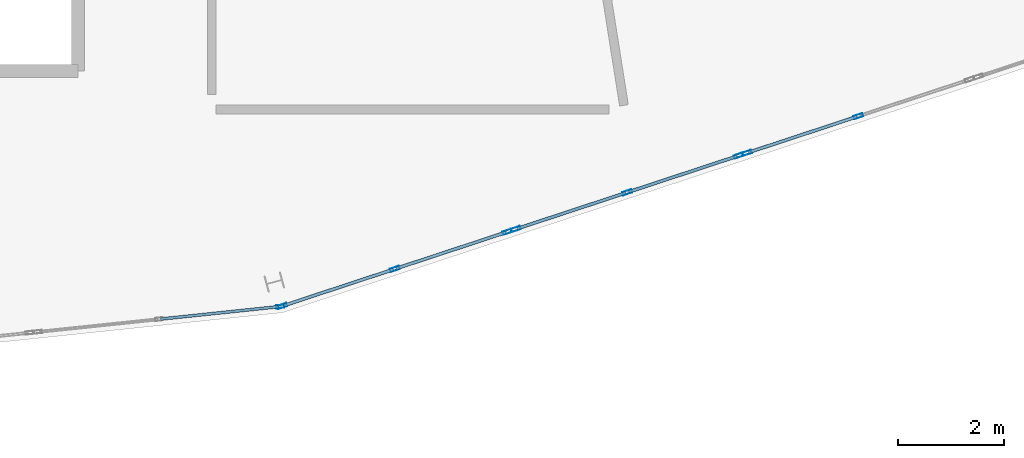
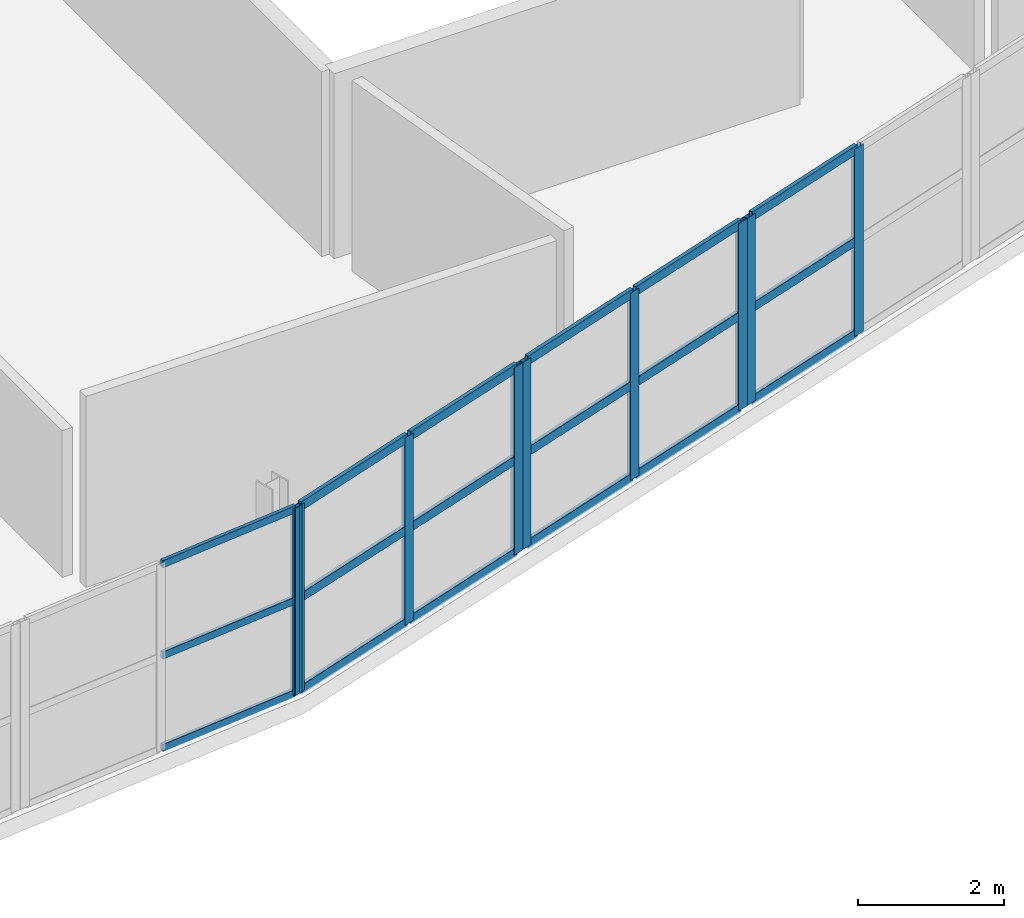
# One storey, part 18 of 35: 27 members, 4 elements without a shape of their own.
"""IFC4 building model written with IfcOpenShell, lengths in metres."""

from ifc_helpers import new_model, si_unit, direction, frame, origin, origin_2d, place, context, subcontext, project, spatial, hollow_rectangle, extrude, material, layer, layer_set, material_profile, profile_set, type_object, element, aggregate, save


model = new_model("IFC4")

# Units and contexts
model_context = context("Model", 3, precision=1e-05, world=origin(), true_north=direction((0.0, 1.0)))
body_context = subcontext(model_context, "Body", "Model", "MODEL_VIEW")
ifc_project = project(units=[si_unit("LENGTHUNIT", "METRE"), si_unit("AREAUNIT", "SQUARE_METRE"), si_unit("VOLUMEUNIT", "CUBIC_METRE"), si_unit("PLANEANGLEUNIT", "RADIAN"), si_unit("MASSUNIT", "GRAM", prefix="KILO")], contexts=[model_context])

# Site, building, storey
site_placement = place(None, origin())
site = spatial("IfcSite", under=ifc_project, at=site_placement, CompositionType="ELEMENT")
building_placement = place(site_placement, origin())
building = spatial("IfcBuilding", under=site, at=building_placement, Name="Kalgoora Escarpment Arena", CompositionType="ELEMENT")
storey_placement = place(building_placement, frame((0.0, 0.0, 23.39990234375)))
storey = spatial("IfcBuildingStorey", under=building, at=storey_placement, Name="L05", CompositionType="ELEMENT", Elevation=23.39990234375)

# Curtain wall, member
ifc_material_1 = material(Name=" Champagne anodised aluminium & double-glazed low-E", Category="aluminium")
ifc_layer_1 = layer(ifc_material_1, 0.154052734375)
ifc_layer_set_1 = layer_set([ifc_layer_1], Name="CW-UNIT-11")
curtain_wall_type_1 = type_object("IfcCurtainWallType", Name="CW-UNIT-11", PredefinedType="NOTDEFINED", material=ifc_layer_set_1)
curtain_wall_1_placement = place(storey_placement, origin())
curtain_wall_1 = element("IfcCurtainWall", 1, at=curtain_wall_1_placement, inside=storey, type_object=curtain_wall_type_1, Name="L05 unitised facade curtain wall 190", PredefinedType="NOTDEFINED")
ifc_material_2 = material(Name="Anodised aluminium 6063-T6", Category="aluminium")
ifc_material_profile_1 = material_profile(ifc_material_2, hollow_rectangle(XDim=0.06005859375, YDim=0.14990234375, WallThickness=0.00341796875, at=origin_2d()))
ifc_profile_set_1 = profile_set([ifc_material_profile_1], Name="Anodised aluminium 6063-T6")
member_type_1 = type_object("IfcMemberType", Name="MEM-CW-MULL-150", PredefinedType="MULLION", material=ifc_profile_set_1)
member_1_placement = place(storey_placement, frame((111.09619140625, 8.478759765625, 0.02001953125), z_axis=(0.0, 0.0, 1.0), x_axis=(0.10415754759, -0.994560810247, 0.0)))
member_1 = element("IfcMember", 2, at=member_1_placement, type_object=member_type_1, Name="CW-11 mullion 1", PredefinedType="MULLION", context=body_context, shape_type="SweptSolid", body=[
    extrude(hollow_rectangle(XDim=0.06005859375, YDim=0.14990234375, WallThickness=0.00341796875, at=origin_2d()), origin(), (0.0, 0.0, 1.0), 3.1201171875),
])

# Curtain wall, members
ifc_material_3 = material(Name=" Champagne anodised aluminium & double-glazed low-E", Category="aluminium")
ifc_layer_2 = layer(ifc_material_3, 0.162109375)
ifc_layer_set_2 = layer_set([ifc_layer_2], Name="CW-UNIT-08")
curtain_wall_type_2 = type_object("IfcCurtainWallType", Name="CW-UNIT-08", PredefinedType="NOTDEFINED", material=ifc_layer_set_2)
curtain_wall_2_placement = place(storey_placement, origin())
curtain_wall_2 = element("IfcCurtainWall", 3, at=curtain_wall_2_placement, inside=storey, type_object=curtain_wall_type_2, Name="L05 unitised facade curtain wall 187", PredefinedType="NOTDEFINED")
ifc_material_4 = material(Name="Anodised aluminium 6063-T6", Category="aluminium")
ifc_material_profile_2 = material_profile(ifc_material_4, hollow_rectangle(XDim=0.06494140625, YDim=0.179931640625, WallThickness=0.00390625, at=origin_2d()))
ifc_profile_set_2 = profile_set([ifc_material_profile_2], Name="Anodised aluminium 6063-T6")
member_type_2 = type_object("IfcMemberType", Name="MEM-CW-MULL-180", PredefinedType="MULLION", material=ifc_profile_set_2)
member_2_placement = place(storey_placement, frame((122.014404296875, 12.072998046875, 0.02001953125), z_axis=(0.0, 0.0, 1.0), x_axis=(0.312989939956, -0.94975644114, 0.0)))
member_2 = element("IfcMember", 4, at=member_2_placement, type_object=member_type_2, Name="CW-08 mullion 2", PredefinedType="MULLION", context=body_context, shape_type="SweptSolid", body=[
    extrude(hollow_rectangle(XDim=0.06494140625, YDim=0.179931640625, WallThickness=0.00390625, at=origin_2d()), origin(), (0.0, 0.0, 1.0), 3.1201171875),
])
member_3_placement = place(storey_placement, frame((119.91015625, 11.379638671875, 0.02001953125), z_axis=(0.0, 0.0, 1.0), x_axis=(0.312989939956, -0.94975644114, 0.0)))
member_3 = element("IfcMember", 5, at=member_3_placement, type_object=member_type_2, Name="CW-08 mullion 3", PredefinedType="MULLION", context=body_context, shape_type="SweptSolid", body=[
    extrude(hollow_rectangle(XDim=0.06494140625, YDim=0.179931640625, WallThickness=0.00390625, at=origin_2d()), origin(), (0.0, 0.0, 1.0), 3.1201171875),
])

ifc_material_5 = material(Name=" Champagne anodised aluminium & double-glazed low-E", Category="aluminium")
ifc_layer_3 = layer(ifc_material_5, 0.166015625)
ifc_layer_set_3 = layer_set([ifc_layer_3], Name="CW-UNIT-09")
curtain_wall_type_3 = type_object("IfcCurtainWallType", Name="CW-UNIT-09", PredefinedType="NOTDEFINED", material=ifc_layer_set_3)
curtain_wall_3_placement = place(storey_placement, origin())
curtain_wall_3 = element("IfcCurtainWall", 6, at=curtain_wall_3_placement, inside=storey, type_object=curtain_wall_type_3, Name="L05 unitised facade curtain wall 188", PredefinedType="NOTDEFINED")
member_4_placement = place(storey_placement, frame((119.75341796875, 11.327880859375, 0.02001953125), z_axis=(0.0, 0.0, 1.0), x_axis=(0.312969878028, -0.949763052265, 0.0)))
member_4 = element("IfcMember", 7, at=member_4_placement, type_object=member_type_2, Name="CW-09 mullion 1", PredefinedType="MULLION", context=body_context, shape_type="SweptSolid", body=[
    extrude(hollow_rectangle(XDim=0.06494140625, YDim=0.179931640625, WallThickness=0.00390625, at=origin_2d()), origin(), (0.0, 0.0, 1.0), 3.1201171875),
])
member_5_placement = place(storey_placement, frame((117.64892578125, 10.634521484375, 0.02001953125), z_axis=(0.0, 0.0, 1.0), x_axis=(0.312969878028, -0.949763052265, 0.0)))
member_5 = element("IfcMember", 8, at=member_5_placement, type_object=member_type_2, Name="CW-09 mullion 2", PredefinedType="MULLION", context=body_context, shape_type="SweptSolid", body=[
    extrude(hollow_rectangle(XDim=0.06494140625, YDim=0.179931640625, WallThickness=0.00390625, at=origin_2d()), origin(), (0.0, 0.0, 1.0), 3.1201171875),
])
member_6_placement = place(storey_placement, frame((115.544677734375, 9.941162109375, 0.02001953125), z_axis=(0.0, 0.0, 1.0), x_axis=(0.312969878028, -0.949763052265, 0.0)))
member_6 = element("IfcMember", 9, at=member_6_placement, type_object=member_type_2, Name="CW-09 mullion 3", PredefinedType="MULLION", context=body_context, shape_type="SweptSolid", body=[
    extrude(hollow_rectangle(XDim=0.06494140625, YDim=0.179931640625, WallThickness=0.00390625, at=origin_2d()), origin(), (0.0, 0.0, 1.0), 3.1201171875),
])

ifc_material_6 = material(Name=" Champagne anodised aluminium & double-glazed low-E", Category="aluminium")
ifc_layer_4 = layer(ifc_material_6, 0.14990234375)
ifc_layer_set_4 = layer_set([ifc_layer_4], Name="CW-UNIT-10")
curtain_wall_type_4 = type_object("IfcCurtainWallType", Name="CW-UNIT-10", PredefinedType="NOTDEFINED", material=ifc_layer_set_4)
curtain_wall_4_placement = place(storey_placement, origin())
curtain_wall_4 = element("IfcCurtainWall", 10, at=curtain_wall_4_placement, inside=storey, type_object=curtain_wall_type_4, Name="L05 unitised facade curtain wall 189", PredefinedType="NOTDEFINED")
member_7_placement = place(storey_placement, frame((115.387939453125, 9.889404296875, 0.02001953125), z_axis=(0.0, 0.0, 1.0), x_axis=(0.312979322933, -0.949759939888, 0.0)))
member_7 = element("IfcMember", 11, at=member_7_placement, type_object=member_type_2, Name="CW-10 mullion 1", PredefinedType="MULLION", context=body_context, shape_type="SweptSolid", body=[
    extrude(hollow_rectangle(XDim=0.06494140625, YDim=0.179931640625, WallThickness=0.00390625, at=origin_2d()), origin(), (0.0, 0.0, 1.0), 3.1201171875),
])
member_8_placement = place(storey_placement, frame((113.259765625, 9.188232421875, 0.02001953125), z_axis=(0.0, 0.0, 1.0), x_axis=(0.312979322933, -0.949759939888, 0.0)))
member_8 = element("IfcMember", 12, at=member_8_placement, type_object=member_type_2, Name="CW-10 mullion 2", PredefinedType="MULLION", context=body_context, shape_type="SweptSolid", body=[
    extrude(hollow_rectangle(XDim=0.06494140625, YDim=0.179931640625, WallThickness=0.00390625, at=origin_2d()), origin(), (0.0, 0.0, 1.0), 3.1201171875),
])
member_9_placement = place(storey_placement, frame((111.1318359375, 8.48681640625, 0.02001953125), z_axis=(0.0, 0.0, 1.0), x_axis=(0.312979322933, -0.949759939888, 0.0)))
member_9 = element("IfcMember", 13, at=member_9_placement, type_object=member_type_2, Name="CW-10 mullion 3", PredefinedType="MULLION", context=body_context, shape_type="SweptSolid", body=[
    extrude(hollow_rectangle(XDim=0.06494140625, YDim=0.179931640625, WallThickness=0.00390625, at=origin_2d()), origin(), (0.0, 0.0, 1.0), 3.1201171875),
])

# Member
ifc_material_7 = material(Name="Anodised aluminium 6063-T6", Category="aluminium")
ifc_material_profile_3 = material_profile(ifc_material_7, hollow_rectangle(XDim=0.054931640625, YDim=0.1201171875, WallThickness=0.003173828125, at=origin_2d()))
ifc_profile_set_3 = profile_set([ifc_material_profile_3], Name="Anodised aluminium 6063-T6")
member_type_3 = type_object("IfcMemberType", Name="MEM-CW-TRAN-120", PredefinedType="USERDEFINED", material=ifc_profile_set_3)
member_10_placement = place(storey_placement, frame((111.06640625, 8.475830078125, 0.047607421875), z_axis=(-0.99455787722, -0.104185550145, 0.0), x_axis=(0.104185550145, -0.99455787722, 0.0)))
member_10 = element("IfcMember", 14, at=member_10_placement, type_object=member_type_3, Name="CW-11 transom 1.1", ObjectType="TRANSOM", PredefinedType="USERDEFINED", context=body_context, shape_type="SweptSolid", body=[
    extrude(hollow_rectangle(XDim=0.054931640625, YDim=0.1201171875, WallThickness=0.003173828125, at=origin_2d()), origin(), (0.0, 0.0, 1.0), 2.240234375),
])

member_11_placement = place(storey_placement, frame((111.06640625, 8.475830078125, 1.590087890625), z_axis=(-0.99455787722, -0.104185550145, 0.0), x_axis=(0.104185550145, -0.99455787722, 0.0)))
member_11 = element("IfcMember", 15, at=member_11_placement, type_object=member_type_3, Name="CW-11 transom 1.2", ObjectType="TRANSOM", PredefinedType="USERDEFINED", context=body_context, shape_type="SweptSolid", body=[
    extrude(hollow_rectangle(XDim=0.054931640625, YDim=0.1201171875, WallThickness=0.003173828125, at=origin_2d()), origin(), (0.0, 0.0, 1.0), 2.240234375),
])

member_12_placement = place(storey_placement, frame((111.06640625, 8.475830078125, 3.112548828125), z_axis=(-0.99455787722, -0.104185550145, 0.0), x_axis=(0.104185550145, -0.99455787722, 0.0)))
member_12 = element("IfcMember", 16, at=member_12_placement, type_object=member_type_3, Name="CW-11 transom 1.3", ObjectType="TRANSOM", PredefinedType="USERDEFINED", context=body_context, shape_type="SweptSolid", body=[
    extrude(hollow_rectangle(XDim=0.054931640625, YDim=0.1201171875, WallThickness=0.003173828125, at=origin_2d()), origin(), (0.0, 0.0, 1.0), 2.240234375),
])

aggregate(curtain_wall_1, [member_1, member_10, member_11, member_12])

ifc_material_8 = material(Name="Anodised aluminium 6063-T6", Category="aluminium")
ifc_material_profile_4 = material_profile(ifc_material_8, hollow_rectangle(XDim=0.06005859375, YDim=0.14990234375, WallThickness=0.00341796875, at=origin_2d()))
ifc_profile_set_4 = profile_set([ifc_material_profile_4], Name="Anodised aluminium 6063-T6")
member_type_4 = type_object("IfcMemberType", Name="MEM-CW-TRAN-150", PredefinedType="USERDEFINED", material=ifc_profile_set_4)
member_13_placement = place(storey_placement, frame((121.983642578125, 12.06298828125, 0.050048828125), z_axis=(-0.949733650084, -0.313059090108, 0.0), x_axis=(0.313059090108, -0.949733650084, 0.0)))
member_13 = element("IfcMember", 17, at=member_13_placement, type_object=member_type_4, Name="CW-08 transom 2.1", ObjectType="TRANSOM", PredefinedType="USERDEFINED", context=body_context, shape_type="SweptSolid", body=[
    extrude(hollow_rectangle(XDim=0.06005859375, YDim=0.14990234375, WallThickness=0.00341796875, at=origin_2d()), origin(), (0.0, 0.0, 1.0), 2.15087890625),
])

member_14_placement = place(storey_placement, frame((121.983642578125, 12.06298828125, 1.590087890625), z_axis=(-0.949733650084, -0.313059090108, 0.0), x_axis=(0.313059090108, -0.949733650084, 0.0)))
member_14 = element("IfcMember", 18, at=member_14_placement, type_object=member_type_4, Name="CW-08 transom 2.2", ObjectType="TRANSOM", PredefinedType="USERDEFINED", context=body_context, shape_type="SweptSolid", body=[
    extrude(hollow_rectangle(XDim=0.06005859375, YDim=0.14990234375, WallThickness=0.00341796875, at=origin_2d()), origin(), (0.0, 0.0, 1.0), 2.15087890625),
])

member_15_placement = place(storey_placement, frame((121.983642578125, 12.06298828125, 3.110107421875), z_axis=(-0.949733650084, -0.313059090108, 0.0), x_axis=(0.313059090108, -0.949733650084, 0.0)))
member_15 = element("IfcMember", 19, at=member_15_placement, type_object=member_type_4, Name="CW-08 transom 2.3", ObjectType="TRANSOM", PredefinedType="USERDEFINED", context=body_context, shape_type="SweptSolid", body=[
    extrude(hollow_rectangle(XDim=0.06005859375, YDim=0.14990234375, WallThickness=0.00341796875, at=origin_2d()), origin(), (0.0, 0.0, 1.0), 2.15087890625),
])

aggregate(curtain_wall_2, [member_2, member_3, member_13, member_14, member_15])

member_16_placement = place(storey_placement, frame((119.722412109375, 11.31787109375, 0.050048828125), z_axis=(-0.949756275184, -0.312990443543, 0.0), x_axis=(0.312990443543, -0.949756275184, 0.0)))
member_16 = element("IfcMember", 20, at=member_16_placement, type_object=member_type_4, Name="CW-09 transom 1.1", ObjectType="TRANSOM", PredefinedType="USERDEFINED", context=body_context, shape_type="SweptSolid", body=[
    extrude(hollow_rectangle(XDim=0.06005859375, YDim=0.14990234375, WallThickness=0.00341796875, at=origin_2d()), origin(), (0.0, 0.0, 1.0), 2.150634765625),
])

member_17_placement = place(storey_placement, frame((119.722412109375, 11.31787109375, 1.590087890625), z_axis=(-0.949756275184, -0.312990443543, 0.0), x_axis=(0.312990443543, -0.949756275184, 0.0)))
member_17 = element("IfcMember", 21, at=member_17_placement, type_object=member_type_4, Name="CW-09 transom 1.2", ObjectType="TRANSOM", PredefinedType="USERDEFINED", context=body_context, shape_type="SweptSolid", body=[
    extrude(hollow_rectangle(XDim=0.06005859375, YDim=0.14990234375, WallThickness=0.00341796875, at=origin_2d()), origin(), (0.0, 0.0, 1.0), 2.150634765625),
])

member_18_placement = place(storey_placement, frame((119.722412109375, 11.31787109375, 3.110107421875), z_axis=(-0.949756275184, -0.312990443543, 0.0), x_axis=(0.312990443543, -0.949756275184, 0.0)))
member_18 = element("IfcMember", 22, at=member_18_placement, type_object=member_type_4, Name="CW-09 transom 1.3", ObjectType="TRANSOM", PredefinedType="USERDEFINED", context=body_context, shape_type="SweptSolid", body=[
    extrude(hollow_rectangle(XDim=0.06005859375, YDim=0.14990234375, WallThickness=0.00341796875, at=origin_2d()), origin(), (0.0, 0.0, 1.0), 2.150634765625),
])

member_19_placement = place(storey_placement, frame((117.6181640625, 10.624267578125, 0.050048828125), z_axis=(-0.949767394709, -0.312956699798, 0.0), x_axis=(0.312956699798, -0.949767394709, 0.0)))
member_19 = element("IfcMember", 23, at=member_19_placement, type_object=member_type_4, Name="CW-09 transom 2.1", ObjectType="TRANSOM", PredefinedType="USERDEFINED", context=body_context, shape_type="SweptSolid", body=[
    extrude(hollow_rectangle(XDim=0.06005859375, YDim=0.14990234375, WallThickness=0.00341796875, at=origin_2d()), origin(), (0.0, 0.0, 1.0), 2.15087890625),
])

member_20_placement = place(storey_placement, frame((117.6181640625, 10.624267578125, 1.590087890625), z_axis=(-0.949767394709, -0.312956699798, 0.0), x_axis=(0.312956699798, -0.949767394709, 0.0)))
member_20 = element("IfcMember", 24, at=member_20_placement, type_object=member_type_4, Name="CW-09 transom 2.2", ObjectType="TRANSOM", PredefinedType="USERDEFINED", context=body_context, shape_type="SweptSolid", body=[
    extrude(hollow_rectangle(XDim=0.06005859375, YDim=0.14990234375, WallThickness=0.00341796875, at=origin_2d()), origin(), (0.0, 0.0, 1.0), 2.15087890625),
])

member_21_placement = place(storey_placement, frame((117.6181640625, 10.624267578125, 3.110107421875), z_axis=(-0.949767394709, -0.312956699798, 0.0), x_axis=(0.312956699798, -0.949767394709, 0.0)))
member_21 = element("IfcMember", 25, at=member_21_placement, type_object=member_type_4, Name="CW-09 transom 2.3", ObjectType="TRANSOM", PredefinedType="USERDEFINED", context=body_context, shape_type="SweptSolid", body=[
    extrude(hollow_rectangle(XDim=0.06005859375, YDim=0.14990234375, WallThickness=0.00341796875, at=origin_2d()), origin(), (0.0, 0.0, 1.0), 2.15087890625),
])

aggregate(curtain_wall_3, [member_4, member_5, member_6, member_16, member_17, member_18, member_19, member_20, member_21])

member_22_placement = place(storey_placement, frame((115.357177734375, 9.879150390625, 0.050048828125), z_axis=(-0.949766139008, -0.312960510597, 0.0), x_axis=(0.312960510597, -0.949766139008, 0.0)))
member_22 = element("IfcMember", 26, at=member_22_placement, type_object=member_type_4, Name="CW-10 transom 1.1", ObjectType="TRANSOM", PredefinedType="USERDEFINED", context=body_context, shape_type="SweptSolid", body=[
    extrude(hollow_rectangle(XDim=0.06005859375, YDim=0.14990234375, WallThickness=0.00341796875, at=origin_2d()), origin(), (0.0, 0.0, 1.0), 2.17578125),
])

member_23_placement = place(storey_placement, frame((115.357177734375, 9.879150390625, 1.590087890625), z_axis=(-0.949766139008, -0.312960510597, 0.0), x_axis=(0.312960510597, -0.949766139008, 0.0)))
member_23 = element("IfcMember", 27, at=member_23_placement, type_object=member_type_4, Name="CW-10 transom 1.2", ObjectType="TRANSOM", PredefinedType="USERDEFINED", context=body_context, shape_type="SweptSolid", body=[
    extrude(hollow_rectangle(XDim=0.06005859375, YDim=0.14990234375, WallThickness=0.00341796875, at=origin_2d()), origin(), (0.0, 0.0, 1.0), 2.17578125),
])

member_24_placement = place(storey_placement, frame((115.357177734375, 9.879150390625, 3.110107421875), z_axis=(-0.949766139008, -0.312960510597, 0.0), x_axis=(0.312960510597, -0.949766139008, 0.0)))
member_24 = element("IfcMember", 28, at=member_24_placement, type_object=member_type_4, Name="CW-10 transom 1.3", ObjectType="TRANSOM", PredefinedType="USERDEFINED", context=body_context, shape_type="SweptSolid", body=[
    extrude(hollow_rectangle(XDim=0.06005859375, YDim=0.14990234375, WallThickness=0.00341796875, at=origin_2d()), origin(), (0.0, 0.0, 1.0), 2.17578125),
])

member_25_placement = place(storey_placement, frame((113.22900390625, 9.177978515625, 0.050048828125), z_axis=(-0.949766139008, -0.312960510597, 0.0), x_axis=(0.312960510597, -0.949766139008, 0.0)))
member_25 = element("IfcMember", 29, at=member_25_placement, type_object=member_type_4, Name="CW-10 transom 2.1", ObjectType="TRANSOM", PredefinedType="USERDEFINED", context=body_context, shape_type="SweptSolid", body=[
    extrude(hollow_rectangle(XDim=0.06005859375, YDim=0.14990234375, WallThickness=0.00341796875, at=origin_2d()), origin(), (0.0, 0.0, 1.0), 2.17578125),
])

member_26_placement = place(storey_placement, frame((113.22900390625, 9.177978515625, 1.590087890625), z_axis=(-0.949766139008, -0.312960510597, 0.0), x_axis=(0.312960510597, -0.949766139008, 0.0)))
member_26 = element("IfcMember", 30, at=member_26_placement, type_object=member_type_4, Name="CW-10 transom 2.2", ObjectType="TRANSOM", PredefinedType="USERDEFINED", context=body_context, shape_type="SweptSolid", body=[
    extrude(hollow_rectangle(XDim=0.06005859375, YDim=0.14990234375, WallThickness=0.00341796875, at=origin_2d()), origin(), (0.0, 0.0, 1.0), 2.17578125),
])

member_27_placement = place(storey_placement, frame((113.22900390625, 9.177978515625, 3.110107421875), z_axis=(-0.949766139008, -0.312960510597, 0.0), x_axis=(0.312960510597, -0.949766139008, 0.0)))
member_27 = element("IfcMember", 31, at=member_27_placement, type_object=member_type_4, Name="CW-10 transom 2.3", ObjectType="TRANSOM", PredefinedType="USERDEFINED", context=body_context, shape_type="SweptSolid", body=[
    extrude(hollow_rectangle(XDim=0.06005859375, YDim=0.14990234375, WallThickness=0.00341796875, at=origin_2d()), origin(), (0.0, 0.0, 1.0), 2.17578125),
])

aggregate(curtain_wall_4, [member_7, member_8, member_9, member_22, member_23, member_24, member_25, member_26, member_27])

save(model, "model.ifc")
